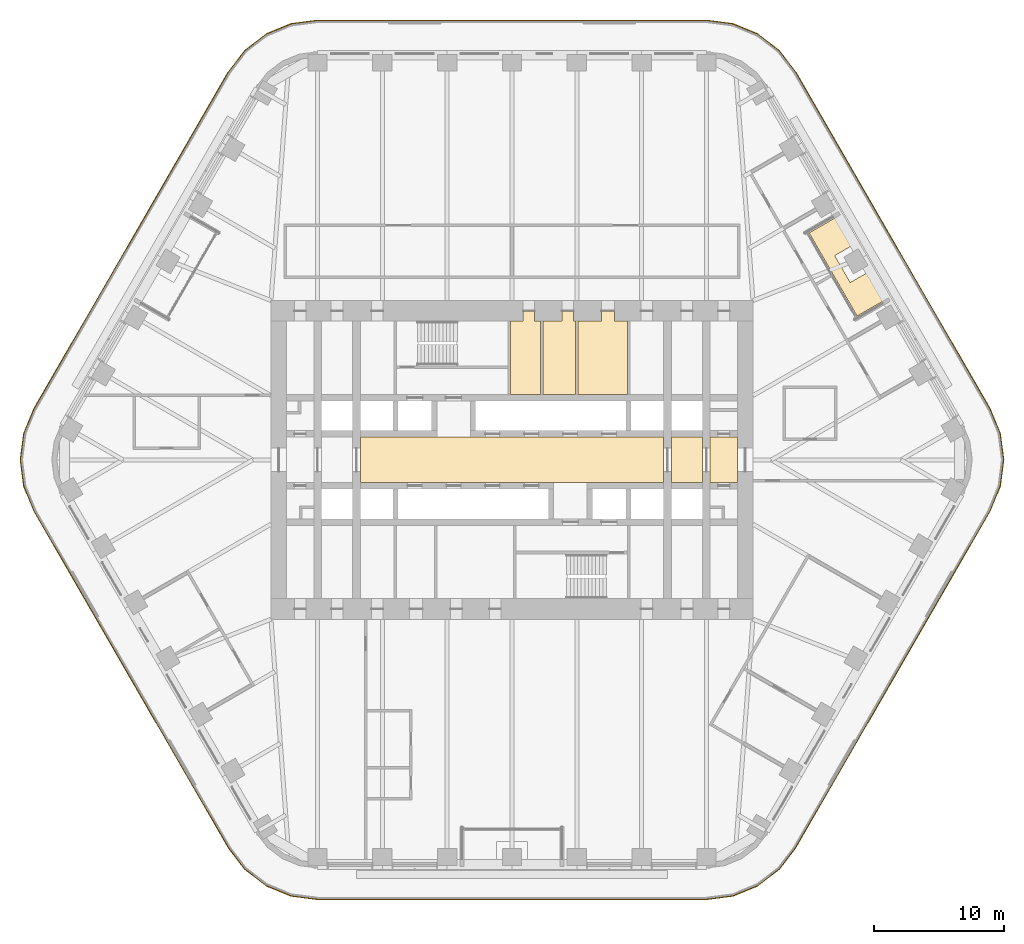
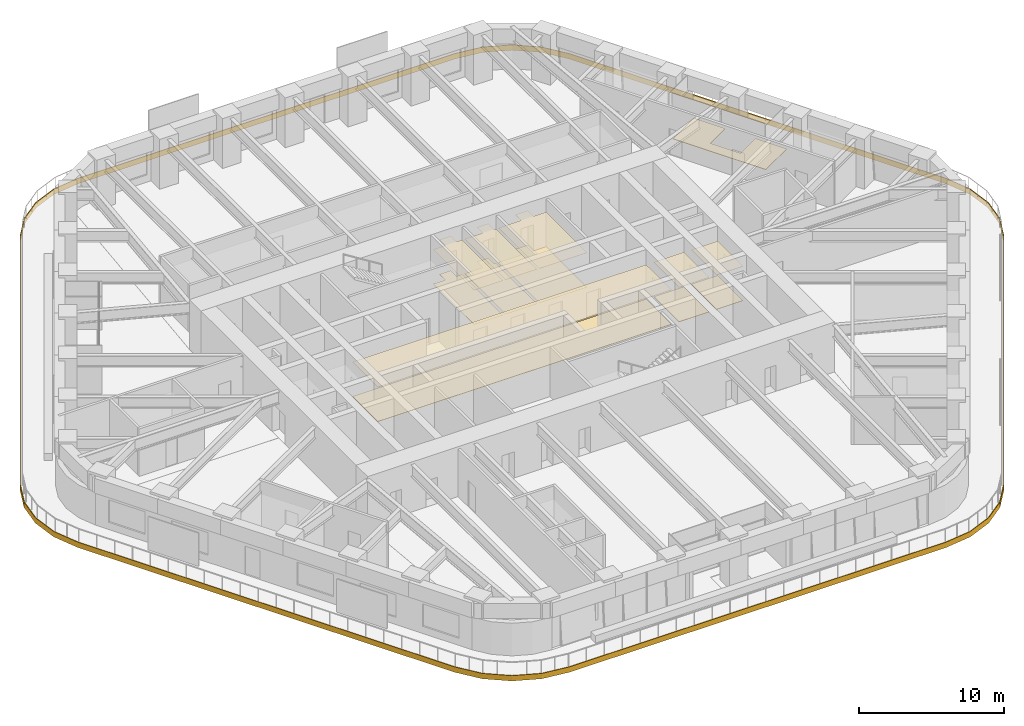
# One storey, part 23 of 24: 14 coverings.
"""IFC4 building model written with IfcOpenShell, lengths in metres."""

from ifc_helpers import new_model, si_unit, direction, frame, origin, place, context, subcontext, project, spatial, polyline, outline, extrude, material, layer, layer_set, type_object, element, save


model = new_model("IFC4")

# Units and contexts
model_context = context("Model", 3, precision=1e-05, world=origin(), true_north=direction((0.0, 1.0)))
body_context = subcontext(model_context, "Body", "Model", "MODEL_VIEW")
ifc_project = project(units=[si_unit("LENGTHUNIT", "METRE"), si_unit("AREAUNIT", "SQUARE_METRE"), si_unit("VOLUMEUNIT", "CUBIC_METRE"), si_unit("PLANEANGLEUNIT", "RADIAN"), si_unit("MASSUNIT", "GRAM", prefix="KILO")], contexts=[model_context])

# Site, building, storey
site_placement = place(None, origin())
site = spatial("IfcSite", under=ifc_project, at=site_placement, CompositionType="ELEMENT")
building_placement = place(site_placement, origin())
building = spatial("IfcBuilding", under=site, at=building_placement, Name="Tarfa Lantern Tower", CompositionType="ELEMENT")
storey_placement = place(building_placement, frame((0.0, 0.0, 186.699951171875)))
storey = spatial("IfcBuildingStorey", under=building, at=storey_placement, Name="L42", CompositionType="ELEMENT", Elevation=186.699951171875)

# Coverings
ifc_material_1 = material(Name="Moisture-resistant plasterboard", Category="finish")
ifc_layer_1 = layer(ifc_material_1, 0.014892578125)
ifc_layer_set_1 = layer_set([ifc_layer_1], Name="CL2 MOISTURE-RESISTANT PLASTERBOARD CEILING 15")
covering_type_1 = type_object("IfcCoveringType", Name="CL2 MOISTURE-RESISTANT PLASTERBOARD CEILING 15", PredefinedType="CEILING", material=ifc_layer_set_1)
covering_1_placement = place(storey_placement, frame((0.0, 0.0, 2.900146484375)))
element("IfcCovering", 1, at=covering_1_placement, inside=storey, type_object=covering_type_1, Name="Ceiling L42-09", PredefinedType="CEILING", context=body_context, shape_type="SweptSolid", body=[
    extrude(outline(polyline([(0.85009765625, 10.699951171875), (-0.10009765625, 10.699951171875), (-0.10009765625, 5.050048828125), (2.199951171875, 5.050048828125), (2.199951171875, 10.699951171875), (1.75, 10.699951171875), (1.75, 11.5), (0.85009765625, 11.5), (0.85009765625, 10.699951171875)])), origin(), (0.0, 0.0, 1.0), 0.014892578125),
])
covering_2_placement = place(storey_placement, frame((0.0, 0.0, 2.900146484375)))
element("IfcCovering", 2, at=covering_2_placement, inside=storey, type_object=covering_type_1, Name="Ceiling L42-10", PredefinedType="CEILING", context=body_context, shape_type="SweptSolid", body=[
    extrude(outline(polyline([(2.39990234375, 5.050048828125), (4.89990234375, 5.050048828125), (4.89990234375, 10.699951171875), (4.75, 10.699951171875), (4.75, 11.5), (3.85009765625, 11.5), (3.85009765625, 10.699951171875), (2.39990234375, 10.699951171875), (2.39990234375, 5.050048828125)])), origin(), (0.0, 0.0, 1.0), 0.014892578125),
])
covering_3_placement = place(storey_placement, frame((0.0, 0.0, 2.900146484375)))
element("IfcCovering", 3, at=covering_3_placement, inside=storey, type_object=covering_type_1, Name="Ceiling L42-11", PredefinedType="CEILING", context=body_context, shape_type="SweptSolid", body=[
    extrude(outline(polyline([(5.10009765625, 5.050048828125), (8.89990234375, 5.050048828125), (8.89990234375, 10.699951171875), (7.89990234375, 10.699951171875), (7.89990234375, 11.5), (6.89990234375, 11.5), (6.89990234375, 10.699951171875), (5.10009765625, 10.699951171875), (5.10009765625, 5.050048828125)])), origin(), (0.0, 0.0, 1.0), 0.014892578125),
])
ifc_material_2 = material(Name="Powder-coated aluminium panel", Category="aluminium")
ifc_layer_2 = layer(ifc_material_2, 0.030029296875)
ifc_layer_set_2 = layer_set([ifc_layer_2], Name="CL3 METAL PANEL CEILING 30")
covering_type_2 = type_object("IfcCoveringType", Name="CL3 METAL PANEL CEILING 30", PredefinedType="CEILING", material=ifc_layer_set_2)
covering_4_placement = place(storey_placement, frame((0.0, 0.0, 2.900146484375)))
element("IfcCovering", 4, at=covering_4_placement, inside=storey, type_object=covering_type_2, Name="Ceiling L42-03", PredefinedType="CEILING", context=body_context, shape_type="SweptSolid", body=[
    extrude(outline(polyline([(-11.699951171875, -1.75), (11.699951171875, -1.75), (11.699951171875, 1.75), (-11.699951171875, 1.75), (-11.699951171875, -1.75)])), origin(), (0.0, 0.0, 1.0), 0.02978515625),
])
covering_5_placement = place(storey_placement, frame((0.0, 0.0, 2.900146484375)))
element("IfcCovering", 5, at=covering_5_placement, inside=storey, type_object=covering_type_2, Name="Ceiling L42-04", PredefinedType="CEILING", context=body_context, shape_type="SweptSolid", body=[
    extrude(outline(polyline([(12.300048828125, -1.75), (14.699951171875, -1.75), (14.699951171875, 1.75), (12.300048828125, 1.75), (12.300048828125, -1.75)])), origin(), (0.0, 0.0, 1.0), 0.02978515625),
])
covering_6_placement = place(storey_placement, frame((0.0, 0.0, 2.900146484375)))
element("IfcCovering", 6, at=covering_6_placement, inside=storey, type_object=covering_type_2, Name="Ceiling L42-05", PredefinedType="CEILING", context=body_context, shape_type="SweptSolid", body=[
    extrude(outline(polyline([(15.300048828125, -1.75), (17.39990234375, -1.75), (17.39990234375, 1.75), (15.300048828125, 1.75), (15.300048828125, -1.75)])), origin(), (0.0, 0.0, 1.0), 0.02978515625),
])
ifc_material_3 = material(Name="Honed limestone flooring", Category="masonry")
ifc_layer_3 = layer(ifc_material_3, 0.030029296875)
ifc_layer_set_3 = layer_set([ifc_layer_3], Name="FL2 STONE FLOORING 30")
covering_type_3 = type_object("IfcCoveringType", Name="FL2 STONE FLOORING 30", PredefinedType="FLOORING", material=ifc_layer_set_3)
covering_7_placement = place(storey_placement, origin())
element("IfcCovering", 7, at=covering_7_placement, inside=storey, type_object=covering_type_3, Name="Floor finish L42-03", PredefinedType="FLOORING", context=body_context, shape_type="SweptSolid", body=[
    extrude(outline(polyline([(-11.699951171875, -1.75), (11.699951171875, -1.75), (11.699951171875, 1.75), (-11.699951171875, 1.75), (-11.699951171875, -1.75)])), origin(), (0.0, 0.0, 1.0), 0.030029296875),
])
covering_8_placement = place(storey_placement, origin())
element("IfcCovering", 8, at=covering_8_placement, inside=storey, type_object=covering_type_3, Name="Floor finish L42-04", PredefinedType="FLOORING", context=body_context, shape_type="SweptSolid", body=[
    extrude(outline(polyline([(12.300048828125, -1.75), (14.699951171875, -1.75), (14.699951171875, 1.75), (12.300048828125, 1.75), (12.300048828125, -1.75)])), origin(), (0.0, 0.0, 1.0), 0.030029296875),
])
covering_9_placement = place(storey_placement, origin())
element("IfcCovering", 9, at=covering_9_placement, inside=storey, type_object=covering_type_3, Name="Floor finish L42-05", PredefinedType="FLOORING", context=body_context, shape_type="SweptSolid", body=[
    extrude(outline(polyline([(15.300048828125, -1.75), (17.39990234375, -1.75), (17.39990234375, 1.75), (15.300048828125, 1.75), (15.300048828125, -1.75)])), origin(), (0.0, 0.0, 1.0), 0.030029296875),
])
ifc_material_4 = material(Name="Porcelain floor tile", Category="finish")
ifc_layer_4 = layer(ifc_material_4, 0.011962890625)
ifc_layer_set_4 = layer_set([ifc_layer_4], Name="FL3 CERAMIC TILE 12")
covering_type_4 = type_object("IfcCoveringType", Name="FL3 CERAMIC TILE 12", PredefinedType="FLOORING", material=ifc_layer_set_4)
covering_10_placement = place(storey_placement, origin())
element("IfcCovering", 10, at=covering_10_placement, inside=storey, type_object=covering_type_4, Name="Floor finish L42-09", PredefinedType="FLOORING", context=body_context, shape_type="SweptSolid", body=[
    extrude(outline(polyline([(0.85009765625, 10.699951171875), (-0.10009765625, 10.699951171875), (-0.10009765625, 5.050048828125), (2.199951171875, 5.050048828125), (2.199951171875, 10.699951171875), (1.75, 10.699951171875), (1.75, 11.5), (0.85009765625, 11.5), (0.85009765625, 10.699951171875)])), origin(), (0.0, 0.0, 1.0), 0.011962890625),
])
covering_11_placement = place(storey_placement, origin())
element("IfcCovering", 11, at=covering_11_placement, inside=storey, type_object=covering_type_4, Name="Floor finish L42-10", PredefinedType="FLOORING", context=body_context, shape_type="SweptSolid", body=[
    extrude(outline(polyline([(2.39990234375, 5.050048828125), (4.89990234375, 5.050048828125), (4.89990234375, 10.699951171875), (4.75, 10.699951171875), (4.75, 11.5), (3.85009765625, 11.5), (3.85009765625, 10.699951171875), (2.39990234375, 10.699951171875), (2.39990234375, 5.050048828125)])), origin(), (0.0, 0.0, 1.0), 0.011962890625),
])
covering_12_placement = place(storey_placement, origin())
element("IfcCovering", 12, at=covering_12_placement, inside=storey, type_object=covering_type_4, Name="Floor finish L42-11", PredefinedType="FLOORING", context=body_context, shape_type="SweptSolid", body=[
    extrude(outline(polyline([(5.10009765625, 5.050048828125), (8.89990234375, 5.050048828125), (8.89990234375, 10.699951171875), (7.89990234375, 10.699951171875), (7.89990234375, 11.5), (6.89990234375, 11.5), (6.89990234375, 10.699951171875), (5.10009765625, 10.699951171875), (5.10009765625, 5.050048828125)])), origin(), (0.0, 0.0, 1.0), 0.011962890625),
])
ifc_material_5 = material(Name="Porcelain pavers on pedestals", Category="ceramic")
ifc_layer_5 = layer(ifc_material_5, 0.0400390625)
ifc_layer_set_5 = layer_set([ifc_layer_5], Name="LP1 LOGGIA PAVING 40")
covering_type_5 = type_object("IfcCoveringType", Name="LP1 LOGGIA PAVING 40", PredefinedType="FLOORING", material=ifc_layer_set_5)
covering_13_placement = place(storey_placement, origin())
element("IfcCovering", 13, at=covering_13_placement, inside=storey, type_object=covering_type_5, Name="Loggia paving NE", PredefinedType="FLOORING", context=body_context, shape_type="SweptSolid", body=[
    extrude(outline(polyline([(29.131591796875, 12.54248046875), (26.637451171875, 11.1025390625), (22.933837890625, 17.517578125), (25.427978515625, 18.95751953125), (26.6796875, 16.789306640625), (24.904541015625, 15.76416015625), (26.1044921875, 13.685791015625), (27.8798828125, 14.710693359375), (29.131591796875, 12.54248046875)])), origin(), (0.0, 0.0, 1.0), 0.0400390625),
])
ifc_material_6 = material(Name="Limestone cladding on brackets", Category="masonry")
ifc_layer_6 = layer(ifc_material_6, 0.050048828125)
ifc_layer_set_6 = layer_set([ifc_layer_6], Name="SB1 STONE BAND CLADDING 50")
covering_type_6 = type_object("IfcCoveringType", Name="SB1 STONE BAND CLADDING 50", PredefinedType="CLADDING", material=ifc_layer_set_6)
covering_14_placement = place(storey_placement, frame((0.0, 0.0, -0.39990234375)))
element("IfcCovering", 14, at=covering_14_placement, inside=storey, type_object=covering_type_6, Name="Stone band", PredefinedType="CLADDING", context=body_context, shape_type="SweptSolid", body=[
    extrude(outline(polyline([(36.9072265625, 3.97509765625), (21.89599609375, 29.97509765625), (20.632568359375, 31.62158203125), (18.986083984375, 32.885009765625), (17.068603515625, 33.67919921875), (15.010986328125, 33.949951171875), (-15.010986328125, 33.949951171875), (-17.068603515625, 33.67919921875), (-18.986083984375, 32.885009765625), (-20.632568359375, 31.62158203125), (-21.89599609375, 29.97509765625), (-36.9072265625, 3.97509765625), (-37.701416015625, 2.0576171875), (-37.97216796875, 0.0), (-37.701416015625, -2.0576171875), (-36.9072265625, -3.97509765625), (-21.89599609375, -29.97509765625), (-20.632568359375, -31.62158203125), (-18.986083984375, -32.885009765625), (-17.068603515625, -33.67919921875), (-15.010986328125, -33.949951171875), (15.010986328125, -33.949951171875), (17.068603515625, -33.67919921875), (18.986083984375, -32.885009765625), (20.632568359375, -31.62158203125), (21.89599609375, -29.97509765625), (36.9072265625, -3.97509765625), (37.701416015625, -2.0576171875), (37.97216796875, 0.0), (37.701416015625, 2.0576171875), (36.9072265625, 3.97509765625)]), holes=[polyline([(36.86376953125, 3.949951171875), (21.852783203125, 29.949951171875), (20.59716796875, 31.586181640625), (18.961181640625, 32.841552734375), (17.0556640625, 33.630859375), (15.010986328125, 33.89990234375), (-15.010986328125, 33.89990234375), (-17.0556640625, 33.630859375), (-18.961181640625, 32.841552734375), (-20.59716796875, 31.586181640625), (-21.852783203125, 29.949951171875), (-36.86376953125, 3.949951171875), (-37.653076171875, 2.044677734375), (-37.922119140625, 0.0), (-37.653076171875, -2.044677734375), (-36.86376953125, -3.949951171875), (-21.852783203125, -29.949951171875), (-20.59716796875, -31.586181640625), (-18.961181640625, -32.841552734375), (-17.0556640625, -33.630859375), (-15.010986328125, -33.89990234375), (15.010986328125, -33.89990234375), (17.0556640625, -33.630859375), (18.961181640625, -32.841552734375), (20.59716796875, -31.586181640625), (21.852783203125, -29.949951171875), (36.86376953125, -3.949951171875), (37.653076171875, -2.044677734375), (37.922119140625, 0.0), (37.653076171875, 2.044677734375), (36.86376953125, 3.949951171875)])]), origin(), (0.0, 0.0, 1.0), 0.449951171875),
])

save(model, "model.ifc")
